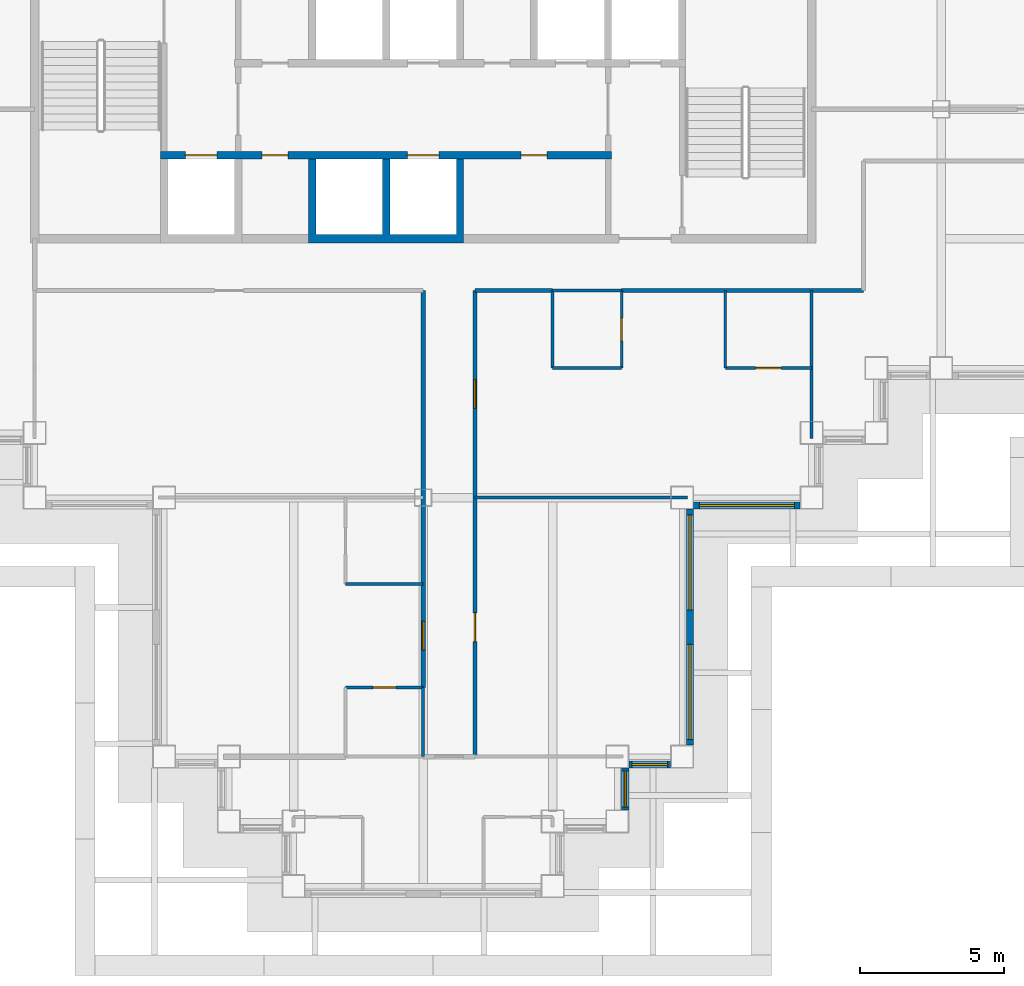
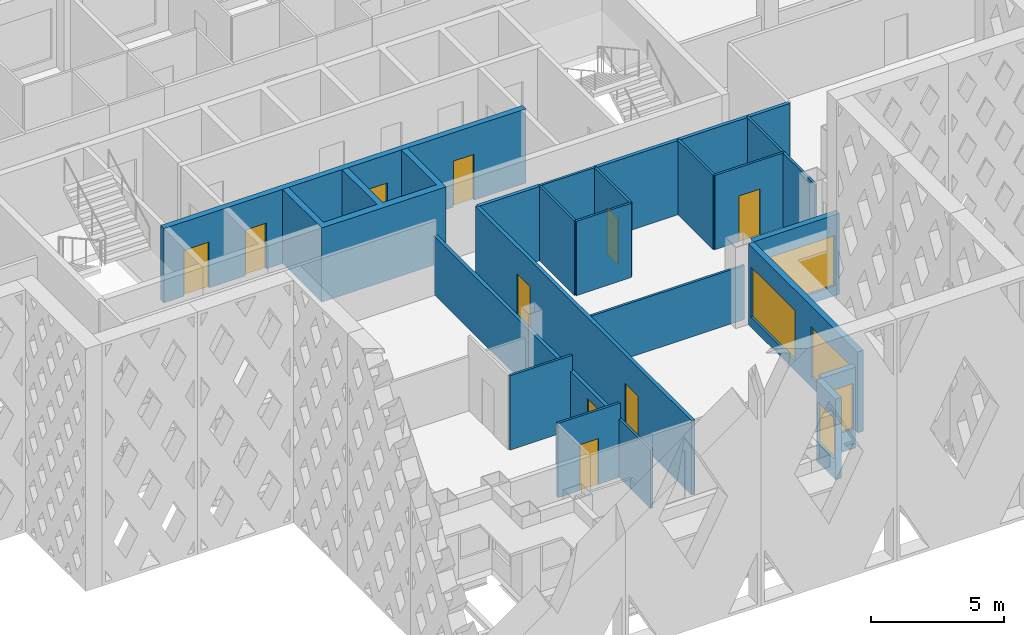
# One storey, part 5 of 18: 21 walls, 10 doors, 5 windows, 15 openings.
"""IFC4 building model written with IfcOpenShell, lengths in metres."""

import ifcopenshell
import ifcopenshell.guid

model = None  # the IFC model being written
_history = None  # IfcOwnerHistory: only IFC2X3 demands one
_inside = {}  # id of a spatial element -> (the spatial element, [elements in it])
_under = {}  # id of a project, library or spatial element -> (it, [spatial elements below it])
_declared = {}  # id of a project -> (the project, [libraries it declares])
_typed = {}  # id of a type object -> (the type object, [elements of that type])
_made_of = {}  # id of a material, layer set ... -> (it, [elements and type objects made of it])


def new_model(schema):
    """Start an empty IFC model of exactly this schema.

    Asked for "IFC4X3", IfcOpenShell would pick the latest addendum, in which some entities
    have other attributes; the version numbers below select the first issue.
    IFC2X3 requires an IfcOwnerHistory on every rooted entity: one is made here for all.
    """
    global model, _history
    if schema == "IFC4X3":
        model = ifcopenshell.file(schema_version=(4, 3, 0, 0))
    else:
        model = ifcopenshell.file(schema=schema)
    _inside.clear()
    _under.clear()
    _declared.clear()
    _typed.clear()
    _made_of.clear()
    _history = None
    if model.schema == "IFC2X3":
        org = make("IfcOrganization", Name="unknown")
        user = make(
            "IfcPersonAndOrganization",
            ThePerson=make("IfcPerson", FamilyName="unknown"),
            TheOrganization=org,
        )
        app = make(
            "IfcApplication",
            ApplicationDeveloper=org,
            Version="unknown",
            ApplicationFullName="unknown",
            ApplicationIdentifier="unknown",
        )
        _history = make(
            "IfcOwnerHistory",
            OwningUser=user,
            OwningApplication=app,
            ChangeAction="ADDED",
            CreationDate=0,
        )
    return model


def make(cls, **values):
    """One entity of the class cls with the attributes given. An attribute that is None is left unset."""
    return model.create_entity(
        cls, **{name: value for name, value in values.items() if value is not None}
    )


def rooted(cls, **values):
    """An entity with a GlobalId (a new one), such as an element, a storey or a relation."""
    return make(cls, GlobalId=ifcopenshell.guid.new(), OwnerHistory=_history, **values)


def si_unit(unit_type, name, prefix=None):
    """IfcSIUnit, for example si_unit("LENGTHUNIT", "METRE", prefix="MILLI")."""
    return make("IfcSIUnit", UnitType=unit_type, Prefix=prefix, Name=name)


def assignment(units):
    """IfcUnitAssignment: the units of a project."""
    return None if units is None else make("IfcUnitAssignment", Units=units)


def point(xyz):
    """IfcCartesianPoint."""
    return None if xyz is None else make("IfcCartesianPoint", Coordinates=xyz)


def direction(xyz):
    """IfcDirection."""
    return None if xyz is None else make("IfcDirection", DirectionRatios=xyz)


def frame(location, z_axis=None, x_axis=None):
    """IfcAxis2Placement3D, a coordinate frame: its origin and axes. An axis left out is left unset."""
    return make(
        "IfcAxis2Placement3D",
        Location=point(location),
        Axis=direction(z_axis),
        RefDirection=direction(x_axis),
    )


def frame_2d(location, x_axis=None):
    """IfcAxis2Placement2D, a coordinate frame in the plane: its origin and x axis."""
    return make(
        "IfcAxis2Placement2D", Location=point(location), RefDirection=direction(x_axis)
    )


def origin():
    """The frame at (0, 0, 0) with its axes left unset."""
    return frame((0.0, 0.0, 0.0))


def place(relative_to, where):
    """IfcLocalPlacement: puts the frame where relative to a parent placement (None: the world)."""
    return make(
        "IfcLocalPlacement", PlacementRelTo=relative_to, RelativePlacement=where
    )


def context(
    kind, dimensions, precision=None, world=None, true_north=None, identifier=None
):
    """IfcGeometricRepresentationContext, for example the 3D "Model" context."""
    return make(
        "IfcGeometricRepresentationContext",
        ContextIdentifier=identifier,
        ContextType=kind,
        CoordinateSpaceDimension=dimensions,
        Precision=precision,
        WorldCoordinateSystem=world,
        TrueNorth=true_north,
    )


def subcontext(parent, identifier, kind, view, scale=None):
    """IfcGeometricRepresentationSubContext, for example "Body" below "Model"."""
    return make(
        "IfcGeometricRepresentationSubContext",
        ContextIdentifier=identifier,
        ContextType=kind,
        ParentContext=parent,
        TargetScale=scale,
        TargetView=view,
    )


def project(units=None, contexts=None):
    """IfcProject with its units and contexts."""
    return rooted(
        "IfcProject",
        Name="project",
        RepresentationContexts=contexts,
        UnitsInContext=assignment(units),
    )


def spatial(cls, under=None, at=None, **own):
    """A site, building, storey or space (cls), placed at a placement, below another one or the project."""
    s = rooted(cls, ObjectPlacement=at, **own)
    if under is not None:
        _under.setdefault(under.id(), (under, []))[1].append(s)
    return s


def polyline(points):
    """IfcPolyline through the points."""
    return make("IfcPolyline", Points=[point(p) for p in points])


def profile(cls, at=None, kind="AREA", **sizes):
    """A parametric profile (cls). Its sizes go by their IFC names, for example OverallWidth=200.0."""
    return make(cls, ProfileType=kind, Position=at, **sizes)


def rectangle(**sizes):
    """IfcRectangleProfileDef."""
    return profile("IfcRectangleProfileDef", **sizes)


def outline(outer, holes=None, kind="AREA"):
    """IfcArbitraryClosedProfileDef: a profile drawn as a closed curve; with holes, ...WithVoids."""
    if holes is None:
        return make("IfcArbitraryClosedProfileDef", ProfileType=kind, OuterCurve=outer)
    return make(
        "IfcArbitraryProfileDefWithVoids",
        ProfileType=kind,
        OuterCurve=outer,
        InnerCurves=holes,
    )


def extrude(swept, where, along, depth):
    """IfcExtrudedAreaSolid: the profile swept, set in the frame where, extruded along a direction by depth."""
    return make(
        "IfcExtrudedAreaSolid",
        SweptArea=swept,
        Position=where,
        ExtrudedDirection=direction(along),
        Depth=depth,
    )


def shape(context_of_items, identifier, shape_type, items):
    """IfcShapeRepresentation: the items that make up one representation, for example the "Body"."""
    return make(
        "IfcShapeRepresentation",
        ContextOfItems=context_of_items,
        RepresentationIdentifier=identifier,
        RepresentationType=shape_type,
        Items=items,
    )


def material(Name=None, Category=None):
    """IfcMaterial."""
    return make("IfcMaterial", Name=Name, Category=Category)


def layer(
    of_material, thickness, ventilated=None, Name=None, Category=None, Priority=None
):
    """IfcMaterialLayer: one layer of a wall or slab, of a material (None: an air gap)."""
    return make(
        "IfcMaterialLayer",
        Material=of_material,
        LayerThickness=thickness,
        IsVentilated=ventilated,
        Name=Name,
        Category=Category,
        Priority=Priority,
    )


def layer_set(layers, Name=None):
    """IfcMaterialLayerSet."""
    return make("IfcMaterialLayerSet", MaterialLayers=layers, LayerSetName=Name)


def made_of(thing, what):
    """Note that an element or type object is made of a material, layer set ...; save() writes the relation."""
    if what is not None:
        _made_of.setdefault(what.id(), (what, []))[1].append(thing)
    return thing


def type_object(cls, material=None, **own):
    """A type object (cls), such as IfcWallType, which elements share."""
    return made_of(rooted(cls, **own), material)


def element(
    cls,
    number,
    at=None,
    inside=None,
    cuts=None,
    type_object=None,
    material=None,
    context=None,
    identifier="Body",
    shape_type=None,
    held_by="IfcProductDefinitionShape",
    body=None,
    shapes=None,
    **own,
):
    """One element of the class cls, such as IfcWall. Its Tag is "e" and its number.

    at: its placement. inside: the storey or other place that contains it. cuts: it is an
    opening in that element (IfcRelVoidsElement). A single representation is given by context,
    identifier, shape_type and body (its items); several are given by shapes. held_by: the class
    of the entity that holds the representations. save() writes the other relations.
    """
    e = rooted(cls, Tag="e%d" % number, ObjectPlacement=at, **own)
    if body is not None:
        shapes = [shape(context, identifier, shape_type, body)]
    if shapes is not None:
        e.Representation = make(held_by, Representations=shapes)
    if inside is not None:
        _inside.setdefault(inside.id(), (inside, []))[1].append(e)
    if cuts is not None:
        rooted(
            "IfcRelVoidsElement", RelatingBuildingElement=cuts, RelatedOpeningElement=e
        )
    if type_object is not None:
        _typed.setdefault(type_object.id(), (type_object, []))[1].append(e)
    return made_of(e, material)


def fill(opening, filler):
    """IfcRelFillsElement: the door or window that sits in an opening."""
    return rooted(
        "IfcRelFillsElement",
        RelatingOpeningElement=opening,
        RelatedBuildingElement=filler,
    )


def aggregate(whole, parts):
    """IfcRelAggregates: a whole, such as a stair, and the parts it consists of."""
    return rooted("IfcRelAggregates", RelatingObject=whole, RelatedObjects=parts)


def save(model, path):
    """Write the relations noted so far, then the file.

    IfcRelAggregates (storeys below a building ...), IfcRelContainedInSpatialStructure (elements
    in a storey), IfcRelDefinesByType, IfcRelAssociatesMaterial and IfcRelDeclares: one each for
    every whole, place, type object, material and project.
    """
    for whole, parts in _under.values():
        aggregate(whole, parts)
    for where, things in _inside.values():
        rooted(
            "IfcRelContainedInSpatialStructure",
            RelatedElements=things,
            RelatingStructure=where,
        )
    for kind, things in _typed.values():
        rooted("IfcRelDefinesByType", RelatedObjects=things, RelatingType=kind)
    for what, things in _made_of.values():
        rooted("IfcRelAssociatesMaterial", RelatedObjects=things, RelatingMaterial=what)
    for by, libraries in _declared.values():
        rooted("IfcRelDeclares", RelatingContext=by, RelatedDefinitions=libraries)
    model.write(path)


model = new_model("IFC4")

# Units and contexts
model_context = context("Model", 3, precision=1e-05, world=origin(), true_north=direction((0.0, 1.0)))
body_context = subcontext(model_context, "Body", "Model", "MODEL_VIEW")
ifc_project = project(units=[si_unit("LENGTHUNIT", "METRE"), si_unit("AREAUNIT", "SQUARE_METRE"), si_unit("VOLUMEUNIT", "CUBIC_METRE"), si_unit("PLANEANGLEUNIT", "RADIAN"), si_unit("MASSUNIT", "GRAM", prefix="KILO")], contexts=[model_context])

# Site, building, storey
site_placement = place(None, origin())
site = spatial("IfcSite", under=ifc_project, at=site_placement, CompositionType="ELEMENT")
building_placement = place(site_placement, origin())
building = spatial("IfcBuilding", under=site, at=building_placement, Name="Caravel Reach Hotel and Residences", CompositionType="ELEMENT")
storey_placement = place(building_placement, frame((0.0, 0.0, 165.39990234375)))
storey = spatial("IfcBuildingStorey", under=building, at=storey_placement, Name="L41", CompositionType="ELEMENT", Elevation=165.39990234375)

# Walls
ifc_material_1 = material(Name="Gypsum board on steel stud", Category="steel")
ifc_layer_1 = layer(ifc_material_1, 0.10009765625)
ifc_layer_set_1 = layer_set([ifc_layer_1], Name="Bathroom pod wall 100 mm")
wall_type_1 = type_object("IfcWallType", Name="Bathroom pod wall 100 mm", PredefinedType="PARTITIONING", material=ifc_layer_set_1)
for number, where, z_axis, x_axis, name in (
    (1, (36.0, 18.0, 0.0), (0.0, 0.0, 1.0), (1.0, 0.0, 0.0), "L41 wall w078"),
    (2, (36.0, 20.699951171875, 0.0), (0.0, 0.0, 1.0), (1.0, 0.0, 0.0), "L41 wall w080"),
):
    element("IfcWall", number, at=place(storey_placement, frame(where, z_axis=z_axis, x_axis=x_axis)), inside=storey, type_object=wall_type_1, Name=name, PredefinedType="PARTITIONING", context=body_context, shape_type="SweptSolid", body=[
        extrude(rectangle(XDim=2.39990234375, YDim=0.10009765625, at=frame_2d((1.199951171875, 0.0))), origin(), (0.0, 0.0, 1.0), 3.400146484375),
    ])

# Wall, opening, door
wall_1_placement = place(storey_placement, frame((28.800048828125, 6.89990234375, 0.0), z_axis=(0.0, 0.0, 1.0), x_axis=(1.0, 0.0, 0.0)))
wall_1 = element("IfcWall", 3, at=wall_1_placement, inside=storey, type_object=wall_type_1, Name="L41 wall w090", PredefinedType="PARTITIONING", context=body_context, shape_type="SweptSolid", body=[
    extrude(rectangle(XDim=2.699951171875, YDim=0.10009765625, at=frame_2d((1.35009765625, 0.0))), origin(), (0.0, 0.0, 1.0), 3.400146484375),
])
opening_1_placement = place(wall_1_placement, frame((0.949951171875, 0.0, 0.0)))
opening_1 = element("IfcOpeningElement", 4, at=opening_1_placement, cuts=wall_1, Name="Opening D41-037", PredefinedType="OPENING", context=body_context, shape_type="SweptSolid", body=[
    extrude(rectangle(XDim=0.800048828125, YDim=2.10009765625, at=frame_2d((0.39990234375, 1.050048828125))), frame((0.0, 0.06005859375, 0.0), z_axis=(0.0, -1.0, 0.0), x_axis=(1.0, 0.0, 0.0)), (0.0, 0.0, 1.0), 0.1201171875),
])
ifc_material_2 = material(Name="Timber and steel door leaf", Category="steel")
door_type_1 = type_object("IfcDoorType", Name="Bathroom door 800 x 2100", OperationType="SINGLE_SWING_LEFT", PredefinedType="DOOR", material=ifc_material_2)
door_1_placement = place(opening_1_placement, origin())
door_1 = element("IfcDoor", 5, at=door_1_placement, inside=storey, type_object=door_type_1, Name="door D41-037", OperationType="SINGLE_SWING_RIGHT", OverallHeight=2.10009765625, OverallWidth=0.800048828125, PredefinedType="DOOR", context=body_context, shape_type="SweptSolid", body=[
    extrude(rectangle(XDim=0.800048828125, YDim=2.10009765625, at=frame_2d((0.39990234375, 1.050048828125))), frame((0.0, 0.02490234375, 0.0), z_axis=(0.0, -1.0, 0.0), x_axis=(1.0, 0.0, 0.0)), (0.0, 0.0, 1.0), 0.050048828125),
])
fill(opening_1, door_1)

# Walls
wall_2_placement = place(storey_placement, frame((31.5, 4.5, 0.0), z_axis=(0.0, 0.0, 1.0), x_axis=(0.0, 1.0, 0.0)))
element("IfcWall", 6, at=wall_2_placement, inside=storey, type_object=wall_type_1, Name="L41 wall w097", PredefinedType="PARTITIONING", context=body_context, shape_type="SweptSolid", body=[
    extrude(rectangle(XDim=2.39990234375, YDim=0.10009765625, at=frame_2d((1.199951171875, 0.0))), origin(), (0.0, 0.0, 1.0), 2.68017578125),
])
wall_3_placement = place(storey_placement, frame((36.0, 18.0, 0.0), z_axis=(0.0, 0.0, 1.0), x_axis=(0.0, 1.0, 0.0)))
element("IfcWall", 7, at=wall_3_placement, inside=storey, type_object=wall_type_1, Name="L41 wall w100", PredefinedType="PARTITIONING", context=body_context, shape_type="SweptSolid", body=[
    extrude(rectangle(XDim=2.698974609375, YDim=0.10009765625, at=frame_2d((1.349609375, 0.0))), origin(), (0.0, 0.0, 1.0), 3.400146484375),
])

# Wall, opening, door
wall_4_placement = place(storey_placement, frame((38.39990234375, 18.0, 0.0), z_axis=(0.0, 0.0, 1.0), x_axis=(0.0, 1.0, 0.0)))
wall_4 = element("IfcWall", 8, at=wall_4_placement, inside=storey, type_object=wall_type_1, Name="L41 wall w101", PredefinedType="PARTITIONING", context=body_context, shape_type="SweptSolid", body=[
    extrude(rectangle(XDim=2.699951171875, YDim=0.10009765625, at=frame_2d((1.35009765625, 0.0))), origin(), (0.0, 0.0, 1.0), 3.400146484375),
])
opening_2_placement = place(wall_4_placement, frame((0.949951171875, 0.0, 0.0)))
opening_2 = element("IfcOpeningElement", 9, at=opening_2_placement, cuts=wall_4, Name="Opening D41-034", PredefinedType="OPENING", context=body_context, shape_type="SweptSolid", body=[
    extrude(rectangle(XDim=0.800048828125, YDim=2.10009765625, at=frame_2d((0.39990234375, 1.050048828125))), frame((0.0, 0.06005859375, 0.0), z_axis=(0.0, -1.0, 0.0), x_axis=(1.0, 0.0, 0.0)), (0.0, 0.0, 1.0), 0.1201171875),
])
door_2_placement = place(opening_2_placement, origin())
door_2 = element("IfcDoor", 10, at=door_2_placement, inside=storey, type_object=door_type_1, Name="door D41-034", OperationType="SINGLE_SWING_LEFT", OverallHeight=2.10009765625, OverallWidth=0.800048828125, PredefinedType="DOOR", context=body_context, shape_type="SweptSolid", body=[
    extrude(rectangle(XDim=0.800048828125, YDim=2.10009765625, at=frame_2d((0.39990234375, 1.050048828125))), frame((0.0, 0.02490234375, 0.0), z_axis=(0.0, -1.0, 0.0), x_axis=(1.0, 0.0, 0.0)), (0.0, 0.0, 1.0), 0.050048828125),
])
fill(opening_2, door_2)

# Walls
ifc_material_3 = material(Name="Gypsum board on steel stud, fire-rated", Category="steel")
ifc_layer_2 = layer(ifc_material_3, 0.14990234375)
ifc_layer_set_2 = layer_set([ifc_layer_2], Name="Corridor wall 150 mm EI 60")
wall_type_2 = type_object("IfcWallType", Name="Corridor wall 150 mm EI 60", PredefinedType="PARTITIONING", material=ifc_layer_set_2)
wall_5_placement = place(storey_placement, frame((33.301025390625, 20.699951171875, 0.0), z_axis=(0.0, 0.0, 1.0), x_axis=(1.0, 0.0, 0.0)))
element("IfcWall", 11, at=wall_5_placement, inside=storey, type_object=wall_type_2, Name="L41 wall w002", PredefinedType="PARTITIONING", context=body_context, shape_type="SweptSolid", body=[
    extrude(rectangle(XDim=2.697998046875, YDim=0.14990234375, at=frame_2d((1.34912109375, 0.0))), origin(), (0.0, 0.0, 1.0), 3.400146484375),
])
wall_6_placement = place(storey_placement, frame((38.39990234375, 20.699951171875, 0.0), z_axis=(0.0, 0.0, 1.0), x_axis=(1.0, 0.0, 0.0)))
element("IfcWall", 12, at=wall_6_placement, inside=storey, type_object=wall_type_2, Name="L41 wall w003", PredefinedType="PARTITIONING", context=body_context, shape_type="SweptSolid", body=[
    extrude(rectangle(XDim=8.400146484375, YDim=0.14990234375, at=frame_2d((4.2001953125, 0.0))), origin(), (0.0, 0.0, 1.0), 3.400146484375),
])

# Wall, opening, door
wall_7_placement = place(storey_placement, frame((31.5, 6.89990234375, 0.0), z_axis=(0.0, 0.0, 1.0), x_axis=(0.0, 1.0, 0.0)))
wall_7 = element("IfcWall", 13, at=wall_7_placement, inside=storey, type_object=wall_type_2, Name="L41 wall w022", PredefinedType="PARTITIONING", context=body_context, shape_type="SweptSolid", body=[
    extrude(rectangle(XDim=13.800048828125, YDim=0.14990234375, at=frame_2d((6.89990234375, 0.0))), origin(), (0.0, 0.0, 1.0), 2.68017578125),
])
opening_3_placement = place(wall_7_placement, frame((1.300048828125, 0.0, 0.0)))
opening_3 = element("IfcOpeningElement", 14, at=opening_3_placement, cuts=wall_7, Name="Opening D41-036", PredefinedType="OPENING", context=body_context, shape_type="SweptSolid", body=[
    extrude(rectangle(XDim=1.0, YDim=2.199951171875, at=frame_2d((0.5, 1.10009765625))), frame((0.0, 0.0849609375, 0.0), z_axis=(0.0, -1.0, 0.0), x_axis=(1.0, 0.0, 0.0)), (0.0, 0.0, 1.0), 0.169921875),
])
ifc_material_4 = material(Name="Steel fire door leaf", Category="steel")
door_type_2 = type_object("IfcDoorType", Name="Flat entrance door 1000 x 2200 EI 60", OperationType="SINGLE_SWING_LEFT", PredefinedType="DOOR", material=ifc_material_4)
door_3_placement = place(opening_3_placement, origin())
door_3 = element("IfcDoor", 15, at=door_3_placement, inside=storey, type_object=door_type_2, Name="door D41-036", OperationType="SINGLE_SWING_RIGHT", OverallHeight=2.199951171875, OverallWidth=1.0, PredefinedType="DOOR", context=body_context, shape_type="SweptSolid", body=[
    extrude(rectangle(XDim=1.0, YDim=2.199951171875, at=frame_2d((0.5, 1.10009765625))), frame((0.0, 0.02490234375, 0.0), z_axis=(0.0, -1.0, 0.0), x_axis=(1.0, 0.0, 0.0)), (0.0, 0.0, 1.0), 0.050048828125),
])
fill(opening_3, door_3)

# Wall, openings, doors
wall_8_placement = place(storey_placement, frame((33.300048828125, 4.5, 0.0), z_axis=(0.0, 0.0, 1.0), x_axis=(0.0, 1.0, 0.0)))
wall_8 = element("IfcWall", 16, at=wall_8_placement, inside=storey, type_object=wall_type_2, Name="L41 wall w025", PredefinedType="PARTITIONING", context=body_context, shape_type="SweptSolid", body=[
    extrude(rectangle(XDim=16.198974609375, YDim=0.14990234375, at=frame_2d((8.099609375, 0.0))), origin(), (0.0, 0.0, 1.0), 3.400146484375),
])
opening_4_placement = place(wall_8_placement, frame((12.09912109375, 0.0, 0.0)))
opening_4 = element("IfcOpeningElement", 17, at=opening_4_placement, cuts=wall_8, Name="Opening D41-033", PredefinedType="OPENING", context=body_context, shape_type="SweptSolid", body=[
    extrude(rectangle(XDim=1.0, YDim=2.199951171875, at=frame_2d((0.5, 1.10009765625))), frame((0.0, 0.0849609375, 0.0), z_axis=(0.0, -1.0, 0.0), x_axis=(1.0, 0.0, 0.0)), (0.0, 0.0, 1.0), 0.169921875),
])
opening_5_placement = place(wall_8_placement, frame((4.0, 0.0, 0.0)))
opening_5 = element("IfcOpeningElement", 18, at=opening_5_placement, cuts=wall_8, Name="Opening D41-039", PredefinedType="OPENING", context=body_context, shape_type="SweptSolid", body=[
    extrude(rectangle(XDim=1.0, YDim=2.10009765625, at=frame_2d((0.5, 1.050048828125))), frame((0.0, 0.0849609375, 0.0), z_axis=(0.0, -1.0, 0.0), x_axis=(1.0, 0.0, 0.0)), (0.0, 0.0, 1.0), 0.169921875),
])
ifc_material_5 = material(Name="Steel fire door leaf", Category="steel")
door_type_3 = type_object("IfcDoorType", Name="Fire door 1000 x 2100 EI 60", OperationType="SINGLE_SWING_LEFT", PredefinedType="DOOR", material=ifc_material_5)
door_4_placement = place(opening_5_placement, origin())
door_4 = element("IfcDoor", 19, at=door_4_placement, inside=storey, type_object=door_type_3, Name="door D41-039", OperationType="SINGLE_SWING_LEFT", OverallHeight=2.10009765625, OverallWidth=1.0, PredefinedType="DOOR", context=body_context, shape_type="SweptSolid", body=[
    extrude(rectangle(XDim=1.0, YDim=2.10009765625, at=frame_2d((0.5, 1.050048828125))), frame((0.0, 0.02490234375, 0.0), z_axis=(0.0, -1.0, 0.0), x_axis=(1.0, 0.0, 0.0)), (0.0, 0.0, 1.0), 0.050048828125),
])
fill(opening_5, door_4)
door_5_placement = place(opening_4_placement, origin())
door_5 = element("IfcDoor", 20, at=door_5_placement, inside=storey, type_object=door_type_2, Name="door D41-033", OperationType="SINGLE_SWING_RIGHT", OverallHeight=2.199951171875, OverallWidth=1.0, PredefinedType="DOOR", context=body_context, shape_type="SweptSolid", body=[
    extrude(rectangle(XDim=1.0, YDim=2.199951171875, at=frame_2d((0.5, 1.10009765625))), frame((0.0, 0.02490234375, 0.0), z_axis=(0.0, -1.0, 0.0), x_axis=(1.0, 0.0, 0.0)), (0.0, 0.0, 1.0), 0.050048828125),
])
fill(opening_4, door_5)

# Wall, opening, window
ifc_material_6 = material(Name="Insulated rainscreen wall, aluminium cladding", Category="aluminium")
ifc_layer_3 = layer(ifc_material_6, 0.25)
ifc_layer_set_3 = layer_set([ifc_layer_3], Name="EW1 Tower rainscreen wall")
wall_type_3 = type_object("IfcWallType", Name="EW1 Tower rainscreen wall", PredefinedType="SOLIDWALL", material=ifc_layer_set_3)
wall_9_placement = place(storey_placement, frame((38.52490234375, 2.64990234375, 0.0), z_axis=(0.0, 0.0, 1.0), x_axis=(0.0, 1.0, 0.0)))
wall_9 = element("IfcWall", 21, at=wall_9_placement, inside=storey, type_object=wall_type_3, Name="External wall L41 E8.1", PredefinedType="SOLIDWALL", context=body_context, shape_type="SweptSolid", body=[
    extrude(rectangle(XDim=1.4501953125, YDim=0.25, at=frame_2d((0.72509765625, 0.0))), origin(), (0.0, 0.0, 1.0), 3.7001953125),
])
opening_6_placement = place(wall_9_placement, frame((0.10009765625, 0.0, 0.89990234375)))
opening_6 = element("IfcOpeningElement", 22, at=opening_6_placement, cuts=wall_9, Name="Opening WN13", PredefinedType="OPENING", context=body_context, shape_type="SweptSolid", body=[
    extrude(rectangle(XDim=1.25, YDim=1.85009765625, at=frame_2d((0.625, 0.925048828125))), frame((0.0, 0.135009765625, 0.0), z_axis=(0.0, -1.0, 0.0), x_axis=(1.0, 0.0, 0.0)), (0.0, 0.0, 1.0), 0.27001953125),
])
ifc_material_7 = material(Name="Dark low-e glazing in black aluminium frame", Category="aluminium")
window_type_1 = type_object("IfcWindowType", Name="Residence bedroom window 1250 x 1850", PartitioningType="SINGLE_PANEL", PredefinedType="WINDOW", material=ifc_material_7)
window_1_placement = place(opening_6_placement, origin())
window_1 = element("IfcWindow", 23, at=window_1_placement, inside=storey, type_object=window_type_1, Name="Window L41 E8.1.1", OverallHeight=1.85009765625, OverallWidth=1.25, PartitioningType="SINGLE_PANEL", PredefinedType="WINDOW", context=body_context, shape_type="SweptSolid", body=[
    extrude(rectangle(XDim=1.25, YDim=1.85009765625, at=frame_2d((0.625, 0.925048828125))), frame((0.0, 0.030029296875, 0.0), z_axis=(0.0, -1.0, 0.0), x_axis=(1.0, 0.0, 0.0)), (0.0, 0.0, 1.0), 0.06005859375),
])
fill(opening_6, window_1)

wall_10_placement = place(storey_placement, frame((38.64990234375, 4.22509765625, 0.0), z_axis=(0.0, 0.0, 1.0), x_axis=(1.0, 0.0, 0.0)))
wall_10 = element("IfcWall", 24, at=wall_10_placement, inside=storey, type_object=wall_type_3, Name="External wall L41 S9.1", PredefinedType="SOLIDWALL", context=body_context, shape_type="SweptSolid", body=[
    extrude(rectangle(XDim=1.4501953125, YDim=0.25, at=frame_2d((0.72509765625, 0.0))), origin(), (0.0, 0.0, 1.0), 3.7001953125),
])
opening_7_placement = place(wall_10_placement, frame((0.10009765625, 0.0, 0.89990234375)))
opening_7 = element("IfcOpeningElement", 25, at=opening_7_placement, cuts=wall_10, Name="Opening WN12", PredefinedType="OPENING", context=body_context, shape_type="SweptSolid", body=[
    extrude(rectangle(XDim=1.25, YDim=2.080078125, at=frame_2d((0.625, 1.0400390625))), frame((0.0, 0.135009765625, 0.0), z_axis=(0.0, -1.0, 0.0), x_axis=(1.0, 0.0, 0.0)), (0.0, 0.0, 1.0), 0.27001953125),
])
ifc_material_8 = material(Name="Dark low-e glazing in black aluminium frame", Category="aluminium")
window_type_2 = type_object("IfcWindowType", Name="Residence bedroom window 1250 x 2080", PartitioningType="SINGLE_PANEL", PredefinedType="WINDOW", material=ifc_material_8)
window_2_placement = place(opening_7_placement, origin())
window_2 = element("IfcWindow", 26, at=window_2_placement, inside=storey, type_object=window_type_2, Name="Window L41 S9.1.1", OverallHeight=2.080078125, OverallWidth=1.25, PartitioningType="SINGLE_PANEL", PredefinedType="WINDOW", context=body_context, shape_type="SweptSolid", body=[
    extrude(rectangle(XDim=1.25, YDim=2.080078125, at=frame_2d((0.625, 1.0400390625))), frame((0.0, 0.030029296875, 0.0), z_axis=(0.0, -1.0, 0.0), x_axis=(1.0, 0.0, 0.0)), (0.0, 0.0, 1.0), 0.06005859375),
])
fill(opening_7, window_2)

# Wall, openings, windows
wall_11_placement = place(storey_placement, frame((40.77490234375, 4.89990234375, 0.0), z_axis=(0.0, 0.0, 1.0), x_axis=(0.0, 1.0, 0.0)))
wall_11 = element("IfcWall", 27, at=wall_11_placement, inside=storey, type_object=wall_type_3, Name="External wall L41 E10.1", PredefinedType="SOLIDWALL", context=body_context, shape_type="SweptSolid", body=[
    extrude(rectangle(XDim=8.2001953125, YDim=0.25, at=frame_2d((4.10009765625, 0.0))), origin(), (0.0, 0.0, 1.0), 3.7001953125),
])
opening_8_placement = place(wall_11_placement, frame((0.199951171875, 0.0, 0.449951171875)))
opening_8 = element("IfcOpeningElement", 28, at=opening_8_placement, cuts=wall_11, Name="Opening WN15", PredefinedType="OPENING", context=body_context, shape_type="SweptSolid", body=[
    extrude(rectangle(XDim=3.300048828125, YDim=2.300048828125, at=frame_2d((1.64990234375, 1.14990234375))), frame((0.0, 0.135009765625, 0.0), z_axis=(0.0, -1.0, 0.0), x_axis=(1.0, 0.0, 0.0)), (0.0, 0.0, 1.0), 0.27001953125),
])
opening_9_placement = place(wall_11_placement, frame((4.699951171875, 0.0, 0.449951171875)))
opening_9 = element("IfcOpeningElement", 29, at=opening_9_placement, cuts=wall_11, Name="Opening WN15", PredefinedType="OPENING", context=body_context, shape_type="SweptSolid", body=[
    extrude(rectangle(XDim=3.300048828125, YDim=2.300048828125, at=frame_2d((1.64990234375, 1.14990234375))), frame((0.0, 0.135009765625, 0.0), z_axis=(0.0, -1.0, 0.0), x_axis=(1.0, 0.0, 0.0)), (0.0, 0.0, 1.0), 0.27001953125),
])
ifc_material_9 = material(Name="Dark low-e glazing in black aluminium frame", Category="aluminium")
window_type_3 = type_object("IfcWindowType", Name="Residence living window 3300 x 2300", PartitioningType="SINGLE_PANEL", PredefinedType="WINDOW", material=ifc_material_9)
window_3_placement = place(opening_8_placement, origin())
window_3 = element("IfcWindow", 30, at=window_3_placement, inside=storey, type_object=window_type_3, Name="Window L41 E10.1.1", OverallHeight=2.300048828125, OverallWidth=3.300048828125, PartitioningType="SINGLE_PANEL", PredefinedType="WINDOW", context=body_context, shape_type="SweptSolid", body=[
    extrude(rectangle(XDim=3.300048828125, YDim=2.300048828125, at=frame_2d((1.64990234375, 1.14990234375))), frame((0.0, 0.030029296875, 0.0), z_axis=(0.0, -1.0, 0.0), x_axis=(1.0, 0.0, 0.0)), (0.0, 0.0, 1.0), 0.06005859375),
])
fill(opening_8, window_3)
window_4_placement = place(opening_9_placement, origin())
window_4 = element("IfcWindow", 31, at=window_4_placement, inside=storey, type_object=window_type_3, Name="Window L41 E10.1.2", OverallHeight=2.300048828125, OverallWidth=3.300048828125, PartitioningType="SINGLE_PANEL", PredefinedType="WINDOW", context=body_context, shape_type="SweptSolid", body=[
    extrude(rectangle(XDim=3.300048828125, YDim=2.300048828125, at=frame_2d((1.64990234375, 1.14990234375))), frame((0.0, 0.030029296875, 0.0), z_axis=(0.0, -1.0, 0.0), x_axis=(1.0, 0.0, 0.0)), (0.0, 0.0, 1.0), 0.06005859375),
])
fill(opening_9, window_4)

# Wall, opening, window
wall_12_placement = place(storey_placement, frame((40.89990234375, 13.22509765625, 0.0), z_axis=(0.0, 0.0, 1.0), x_axis=(1.0, 0.0, 0.0)))
wall_12 = element("IfcWall", 32, at=wall_12_placement, inside=storey, type_object=wall_type_3, Name="External wall L41 S11.1", PredefinedType="SOLIDWALL", context=body_context, shape_type="SweptSolid", body=[
    extrude(rectangle(XDim=3.7001953125, YDim=0.25, at=frame_2d((1.85009765625, 0.0))), origin(), (0.0, 0.0, 1.0), 3.7001953125),
])
opening_10_placement = place(wall_12_placement, frame((0.199951171875, 0.0, 0.449951171875)))
opening_10 = element("IfcOpeningElement", 33, at=opening_10_placement, cuts=wall_12, Name="Opening WN15", PredefinedType="OPENING", context=body_context, shape_type="SweptSolid", body=[
    extrude(rectangle(XDim=3.300048828125, YDim=2.300048828125, at=frame_2d((1.64990234375, 1.14990234375))), frame((0.0, 0.135009765625, 0.0), z_axis=(0.0, -1.0, 0.0), x_axis=(1.0, 0.0, 0.0)), (0.0, 0.0, 1.0), 0.27001953125),
])
window_5_placement = place(opening_10_placement, origin())
window_5 = element("IfcWindow", 34, at=window_5_placement, inside=storey, type_object=window_type_3, Name="Window L41 S11.1.1", OverallHeight=2.300048828125, OverallWidth=3.300048828125, PartitioningType="SINGLE_PANEL", PredefinedType="WINDOW", context=body_context, shape_type="SweptSolid", body=[
    extrude(rectangle(XDim=3.300048828125, YDim=2.300048828125, at=frame_2d((1.64990234375, 1.14990234375))), frame((0.0, 0.030029296875, 0.0), z_axis=(0.0, -1.0, 0.0), x_axis=(1.0, 0.0, 0.0)), (0.0, 0.0, 1.0), 0.06005859375),
])
fill(opening_10, window_5)

# Walls
ifc_material_10 = material(Name="Gypsum board on steel stud", Category="steel")
ifc_layer_4 = layer(ifc_material_10, 0.10009765625)
ifc_layer_set_4 = layer_set([ifc_layer_4], Name="Partition 100 mm")
wall_type_4 = type_object("IfcWallType", Name="Partition 100 mm", PredefinedType="PARTITIONING", material=ifc_layer_set_4)
wall_13_placement = place(storey_placement, frame((28.800048828125, 10.5, 0.0), z_axis=(0.0, 0.0, 1.0), x_axis=(1.0, 0.0, 0.0)))
element("IfcWall", 35, at=wall_13_placement, inside=storey, type_object=wall_type_4, Name="L41 wall w031", PredefinedType="PARTITIONING", context=body_context, shape_type="SweptSolid", body=[
    extrude(rectangle(XDim=2.699951171875, YDim=0.10009765625, at=frame_2d((1.35009765625, 0.0))), origin(), (0.0, 0.0, 1.0), 3.400146484375),
])
wall_14_placement = place(storey_placement, frame((33.301025390625, 13.5, 0.0), z_axis=(0.0, 0.0, 1.0), x_axis=(1.0, 0.0, 0.0)))
element("IfcWall", 36, at=wall_14_placement, inside=storey, type_object=wall_type_4, Name="L41 wall w032", PredefinedType="PARTITIONING", context=body_context, shape_type="SweptSolid", body=[
    extrude(rectangle(XDim=7.388916015625, YDim=0.10009765625, at=frame_2d((3.6943359375, 0.0))), origin(), (0.0, 0.0, 1.0), 2.47998046875),
])

# Wall, opening, door
wall_15_placement = place(storey_placement, frame((42.0, 18.0, 0.0), z_axis=(0.0, 0.0, 1.0), x_axis=(1.0, 0.0, 0.0)))
wall_15 = element("IfcWall", 37, at=wall_15_placement, inside=storey, type_object=wall_type_4, Name="L41 wall w036", PredefinedType="PARTITIONING", context=body_context, shape_type="SweptSolid", body=[
    extrude(rectangle(XDim=3.0, YDim=0.10009765625, at=frame_2d((1.5, 0.0))), origin(), (0.0, 0.0, 1.0), 3.400146484375),
])
opening_11_placement = place(wall_15_placement, frame((1.050048828125, 0.0, 0.0)))
opening_11 = element("IfcOpeningElement", 38, at=opening_11_placement, cuts=wall_15, Name="Opening D41-035", PredefinedType="OPENING", context=body_context, shape_type="SweptSolid", body=[
    extrude(rectangle(XDim=0.89990234375, YDim=2.10009765625, at=frame_2d((0.449951171875, 1.050048828125))), frame((0.0, 0.06005859375, 0.0), z_axis=(0.0, -1.0, 0.0), x_axis=(1.0, 0.0, 0.0)), (0.0, 0.0, 1.0), 0.1201171875),
])
ifc_material_11 = material(Name="Timber and steel door leaf", Category="steel")
door_type_4 = type_object("IfcDoorType", Name="Door 900 x 2100 timber", OperationType="SINGLE_SWING_LEFT", PredefinedType="DOOR", material=ifc_material_11)
door_6_placement = place(opening_11_placement, origin())
door_6 = element("IfcDoor", 39, at=door_6_placement, inside=storey, type_object=door_type_4, Name="door D41-035", OperationType="SINGLE_SWING_LEFT", OverallHeight=2.10009765625, OverallWidth=0.89990234375, PredefinedType="DOOR", context=body_context, shape_type="SweptSolid", body=[
    extrude(rectangle(XDim=0.89990234375, YDim=2.10009765625, at=frame_2d((0.449951171875, 1.050048828125))), frame((0.0, 0.02490234375, 0.0), z_axis=(0.0, -1.0, 0.0), x_axis=(1.0, 0.0, 0.0)), (0.0, 0.0, 1.0), 0.050048828125),
])
fill(opening_11, door_6)

# Walls
wall_16_placement = place(storey_placement, frame((42.0, 18.0, 0.0), z_axis=(0.0, 0.0, 1.0), x_axis=(0.0, 1.0, 0.0)))
element("IfcWall", 40, at=wall_16_placement, inside=storey, type_object=wall_type_4, Name="L41 wall w068", PredefinedType="PARTITIONING", context=body_context, shape_type="SweptSolid", body=[
    extrude(rectangle(XDim=2.699951171875, YDim=0.10009765625, at=frame_2d((1.35009765625, 0.0))), origin(), (0.0, 0.0, 1.0), 3.400146484375),
])
wall_17_placement = place(storey_placement, frame((45.0, 15.56005859375, 0.0), z_axis=(0.0, 0.0, 1.0), x_axis=(0.0, 1.0, 0.0)))
element("IfcWall", 41, at=wall_17_placement, inside=storey, type_object=wall_type_4, Name="L41 wall w069", PredefinedType="PARTITIONING", context=body_context, shape_type="SweptSolid", body=[
    extrude(rectangle(XDim=5.138916015625, YDim=0.10009765625, at=frame_2d((2.5693359375, 0.0))), origin(), (0.0, 0.0, 1.0), 3.400146484375),
])
ifc_material_12 = material(Name="Concrete C60", Category="concrete")
ifc_layer_5 = layer(ifc_material_12, 0.25)
ifc_layer_set_5 = layer_set([ifc_layer_5], Name="Shaft wall 250 mm EI 120")
wall_type_5 = type_object("IfcWallType", Name="Shaft wall 250 mm EI 120", PredefinedType="SHEAR", material=ifc_layer_set_5)
wall_18_placement = place(storey_placement, origin())
element("IfcWall", 42, at=wall_18_placement, inside=storey, type_object=wall_type_5, Name="L41 lift shaft wall S2", PredefinedType="SHEAR", context=body_context, shape_type="SweptSolid", body=[
    extrude(outline(polyline([(27.517822265625, 22.35009765625), (32.91064453125, 22.35009765625), (32.91064453125, 25.27490234375), (32.66064453125, 25.27490234375), (32.66064453125, 22.64990234375), (30.33935546875, 22.64990234375), (30.33935546875, 25.27490234375), (30.08935546875, 25.27490234375), (30.08935546875, 22.64990234375), (27.767822265625, 22.64990234375), (27.767822265625, 25.27490234375), (27.517822265625, 25.27490234375), (27.517822265625, 22.35009765625)])), origin(), (0.0, 0.0, 1.0), 3.400146484375),
])

# Wall, openings, doors
wall_19_placement = place(storey_placement, frame((22.375, 25.39990234375, 0.0), z_axis=(0.0, 0.0, 1.0), x_axis=(1.0, 0.0, 0.0)))
wall_19 = element("IfcWall", 43, at=wall_19_placement, inside=storey, type_object=wall_type_5, Name="L41 lobby wall S1", PredefinedType="SHEAR", context=body_context, shape_type="SweptSolid", body=[
    extrude(rectangle(XDim=15.678466796875, YDim=0.25, at=frame_2d((7.83935546875, 0.0))), origin(), (0.0, 0.0, 1.0), 3.400146484375),
])
opening_12_placement = place(wall_19_placement, frame((8.574951171875, 0.0, 0.0)))
opening_12 = element("IfcOpeningElement", 44, at=opening_12_placement, cuts=wall_19, Name="Opening D41-001", PredefinedType="OPENING", context=body_context, shape_type="SweptSolid", body=[
    extrude(rectangle(XDim=1.10009765625, YDim=2.10009765625, at=frame_2d((0.550048828125, 1.050048828125))), frame((0.0, 0.135009765625, 0.0), z_axis=(0.0, -1.0, 0.0), x_axis=(1.0, 0.0, 0.0)), (0.0, 0.0, 1.0), 0.27001953125),
])
opening_13_placement = place(wall_19_placement, frame((0.860595703125, 0.0, 0.0)))
opening_13 = element("IfcOpeningElement", 45, at=opening_13_placement, cuts=wall_19, Name="Opening D41-004", PredefinedType="OPENING", context=body_context, shape_type="SweptSolid", body=[
    extrude(rectangle(XDim=1.10009765625, YDim=2.10009765625, at=frame_2d((0.550048828125, 1.050048828125))), frame((0.0, 0.135009765625, 0.0), z_axis=(0.0, -1.0, 0.0), x_axis=(1.0, 0.0, 0.0)), (0.0, 0.0, 1.0), 0.27001953125),
])
opening_14_placement = place(wall_19_placement, frame((3.531982421875, 0.0, 0.0)))
opening_14 = element("IfcOpeningElement", 46, at=opening_14_placement, cuts=wall_19, Name="Opening D41-006", PredefinedType="OPENING", context=body_context, shape_type="SweptSolid", body=[
    extrude(rectangle(XDim=0.89990234375, YDim=2.10009765625, at=frame_2d((0.449951171875, 1.050048828125))), frame((0.0, 0.135009765625, 0.0), z_axis=(0.0, -1.0, 0.0), x_axis=(1.0, 0.0, 0.0)), (0.0, 0.0, 1.0), 0.27001953125),
])
opening_15_placement = place(wall_19_placement, frame((12.531982421875, 0.0, 0.0)))
opening_15 = element("IfcOpeningElement", 47, at=opening_15_placement, cuts=wall_19, Name="Opening D41-007", PredefinedType="OPENING", context=body_context, shape_type="SweptSolid", body=[
    extrude(rectangle(XDim=0.89990234375, YDim=2.10009765625, at=frame_2d((0.449951171875, 1.050048828125))), frame((0.0, 0.135009765625, 0.0), z_axis=(0.0, -1.0, 0.0), x_axis=(1.0, 0.0, 0.0)), (0.0, 0.0, 1.0), 0.27001953125),
])
ifc_material_13 = material(Name="Stainless steel landing door", Category="steel")
door_type_5 = type_object("IfcDoorType", Name="Landing door LD 1100 x 2100 sliding", OperationType="DOUBLE_DOOR_SLIDING", PredefinedType="DOOR", material=ifc_material_13)
door_7_placement = place(opening_12_placement, origin())
door_7 = element("IfcDoor", 48, at=door_7_placement, inside=storey, type_object=door_type_5, Name="MP1 landing door", OperationType="DOUBLE_DOOR_SLIDING", OverallHeight=2.10009765625, OverallWidth=1.10009765625, PredefinedType="DOOR", context=body_context, shape_type="SweptSolid", body=[
    extrude(rectangle(XDim=1.10009765625, YDim=2.10009765625, at=frame_2d((0.550048828125, 1.050048828125))), frame((0.0, 0.02490234375, 0.0), z_axis=(0.0, -1.0, 0.0), x_axis=(1.0, 0.0, 0.0)), (0.0, 0.0, 1.0), 0.050048828125),
])
fill(opening_12, door_7)
door_8_placement = place(opening_13_placement, origin())
door_8 = element("IfcDoor", 49, at=door_8_placement, inside=storey, type_object=door_type_5, Name="FL1 landing door", OperationType="DOUBLE_DOOR_SLIDING", OverallHeight=2.10009765625, OverallWidth=1.10009765625, PredefinedType="DOOR", context=body_context, shape_type="SweptSolid", body=[
    extrude(rectangle(XDim=1.10009765625, YDim=2.10009765625, at=frame_2d((0.550048828125, 1.050048828125))), frame((0.0, 0.02490234375, 0.0), z_axis=(0.0, -1.0, 0.0), x_axis=(1.0, 0.0, 0.0)), (0.0, 0.0, 1.0), 0.050048828125),
])
fill(opening_13, door_8)
ifc_material_14 = material(Name="Steel fire door leaf", Category="steel")
door_type_6 = type_object("IfcDoorType", Name="Riser door 900 x 2100 EI 60", OperationType="SINGLE_SWING_LEFT", PredefinedType="DOOR", material=ifc_material_14)
door_9_placement = place(opening_14_placement, origin())
door_9 = element("IfcDoor", 50, at=door_9_placement, inside=storey, type_object=door_type_6, Name="Electrical riser room door", OperationType="SINGLE_SWING_LEFT", OverallHeight=2.10009765625, OverallWidth=0.89990234375, PredefinedType="DOOR", context=body_context, shape_type="SweptSolid", body=[
    extrude(rectangle(XDim=0.89990234375, YDim=2.10009765625, at=frame_2d((0.449951171875, 1.050048828125))), frame((0.0, 0.02490234375, 0.0), z_axis=(0.0, -1.0, 0.0), x_axis=(1.0, 0.0, 0.0)), (0.0, 0.0, 1.0), 0.050048828125),
])
fill(opening_14, door_9)
door_10_placement = place(opening_15_placement, origin())
door_10 = element("IfcDoor", 51, at=door_10_placement, inside=storey, type_object=door_type_6, Name="Comms room door", OperationType="SINGLE_SWING_LEFT", OverallHeight=2.10009765625, OverallWidth=0.89990234375, PredefinedType="DOOR", context=body_context, shape_type="SweptSolid", body=[
    extrude(rectangle(XDim=0.89990234375, YDim=2.10009765625, at=frame_2d((0.449951171875, 1.050048828125))), frame((0.0, 0.02490234375, 0.0), z_axis=(0.0, -1.0, 0.0), x_axis=(1.0, 0.0, 0.0)), (0.0, 0.0, 1.0), 0.050048828125),
])
fill(opening_15, door_10)

save(model, "model.ifc")
